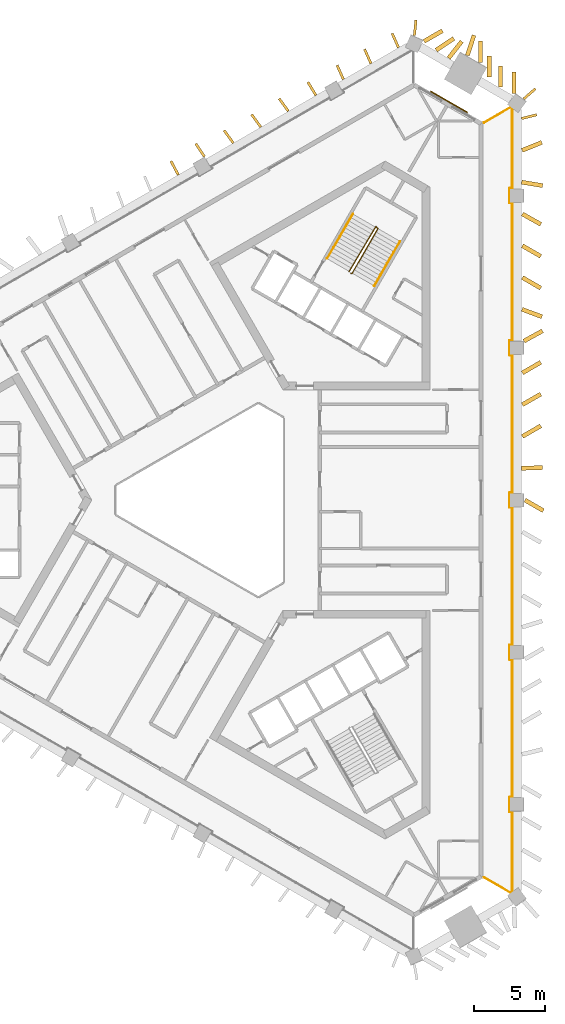
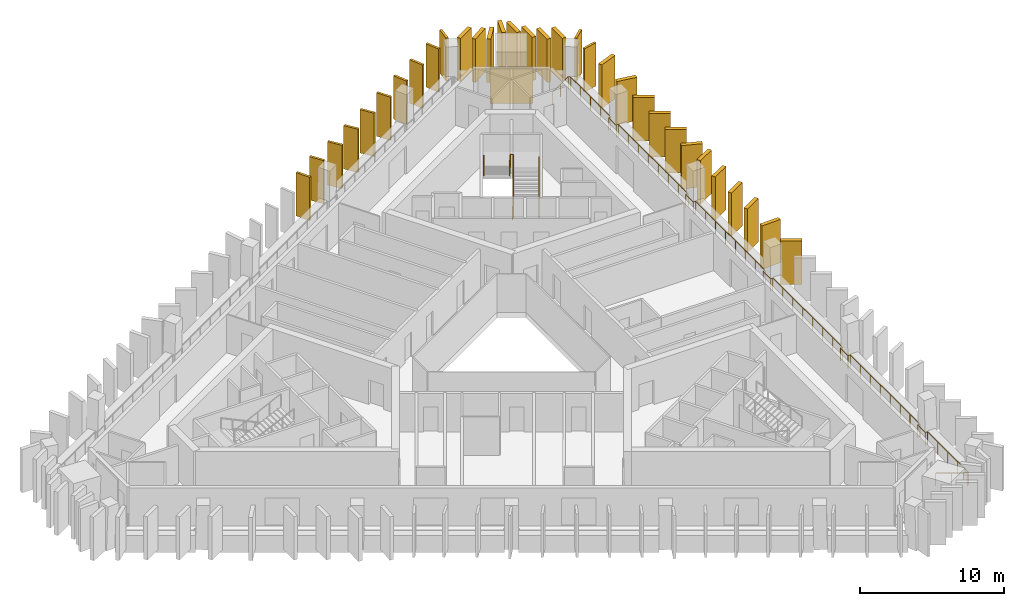
# One storey, part 10 of 10: 32 shading devices, 4 railings, 1 covering.
"""IFC4 building model written with IfcOpenShell, lengths in metres."""

import ifcopenshell
import ifcopenshell.guid

model = None  # the IFC model being written
_history = None  # IfcOwnerHistory: only IFC2X3 demands one
_inside = {}  # id of a spatial element -> (the spatial element, [elements in it])
_under = {}  # id of a project, library or spatial element -> (it, [spatial elements below it])
_declared = {}  # id of a project -> (the project, [libraries it declares])
_typed = {}  # id of a type object -> (the type object, [elements of that type])
_made_of = {}  # id of a material, layer set ... -> (it, [elements and type objects made of it])


def new_model(schema):
    """Start an empty IFC model of exactly this schema.

    Asked for "IFC4X3", IfcOpenShell would pick the latest addendum, in which some entities
    have other attributes; the version numbers below select the first issue.
    IFC2X3 requires an IfcOwnerHistory on every rooted entity: one is made here for all.
    """
    global model, _history
    if schema == "IFC4X3":
        model = ifcopenshell.file(schema_version=(4, 3, 0, 0))
    else:
        model = ifcopenshell.file(schema=schema)
    _inside.clear()
    _under.clear()
    _declared.clear()
    _typed.clear()
    _made_of.clear()
    _history = None
    if model.schema == "IFC2X3":
        org = make("IfcOrganization", Name="unknown")
        user = make(
            "IfcPersonAndOrganization",
            ThePerson=make("IfcPerson", FamilyName="unknown"),
            TheOrganization=org,
        )
        app = make(
            "IfcApplication",
            ApplicationDeveloper=org,
            Version="unknown",
            ApplicationFullName="unknown",
            ApplicationIdentifier="unknown",
        )
        _history = make(
            "IfcOwnerHistory",
            OwningUser=user,
            OwningApplication=app,
            ChangeAction="ADDED",
            CreationDate=0,
        )
    return model


def make(cls, **values):
    """One entity of the class cls with the attributes given. An attribute that is None is left unset."""
    return model.create_entity(
        cls, **{name: value for name, value in values.items() if value is not None}
    )


def rooted(cls, **values):
    """An entity with a GlobalId (a new one), such as an element, a storey or a relation."""
    return make(cls, GlobalId=ifcopenshell.guid.new(), OwnerHistory=_history, **values)


def si_unit(unit_type, name, prefix=None):
    """IfcSIUnit, for example si_unit("LENGTHUNIT", "METRE", prefix="MILLI")."""
    return make("IfcSIUnit", UnitType=unit_type, Prefix=prefix, Name=name)


def assignment(units):
    """IfcUnitAssignment: the units of a project."""
    return None if units is None else make("IfcUnitAssignment", Units=units)


def point(xyz):
    """IfcCartesianPoint."""
    return None if xyz is None else make("IfcCartesianPoint", Coordinates=xyz)


def direction(xyz):
    """IfcDirection."""
    return None if xyz is None else make("IfcDirection", DirectionRatios=xyz)


def frame(location, z_axis=None, x_axis=None):
    """IfcAxis2Placement3D, a coordinate frame: its origin and axes. An axis left out is left unset."""
    return make(
        "IfcAxis2Placement3D",
        Location=point(location),
        Axis=direction(z_axis),
        RefDirection=direction(x_axis),
    )


def frame_2d(location, x_axis=None):
    """IfcAxis2Placement2D, a coordinate frame in the plane: its origin and x axis."""
    return make(
        "IfcAxis2Placement2D", Location=point(location), RefDirection=direction(x_axis)
    )


def origin():
    """The frame at (0, 0, 0) with its axes left unset."""
    return frame((0.0, 0.0, 0.0))


def origin_2d():
    """The frame at (0, 0) in the plane with its x axis left unset."""
    return frame_2d((0.0, 0.0))


def place(relative_to, where):
    """IfcLocalPlacement: puts the frame where relative to a parent placement (None: the world)."""
    return make(
        "IfcLocalPlacement", PlacementRelTo=relative_to, RelativePlacement=where
    )


def context(
    kind, dimensions, precision=None, world=None, true_north=None, identifier=None
):
    """IfcGeometricRepresentationContext, for example the 3D "Model" context."""
    return make(
        "IfcGeometricRepresentationContext",
        ContextIdentifier=identifier,
        ContextType=kind,
        CoordinateSpaceDimension=dimensions,
        Precision=precision,
        WorldCoordinateSystem=world,
        TrueNorth=true_north,
    )


def subcontext(parent, identifier, kind, view, scale=None):
    """IfcGeometricRepresentationSubContext, for example "Body" below "Model"."""
    return make(
        "IfcGeometricRepresentationSubContext",
        ContextIdentifier=identifier,
        ContextType=kind,
        ParentContext=parent,
        TargetScale=scale,
        TargetView=view,
    )


def project(units=None, contexts=None):
    """IfcProject with its units and contexts."""
    return rooted(
        "IfcProject",
        Name="project",
        RepresentationContexts=contexts,
        UnitsInContext=assignment(units),
    )


def spatial(cls, under=None, at=None, **own):
    """A site, building, storey or space (cls), placed at a placement, below another one or the project."""
    s = rooted(cls, ObjectPlacement=at, **own)
    if under is not None:
        _under.setdefault(under.id(), (under, []))[1].append(s)
    return s


def profile(cls, at=None, kind="AREA", **sizes):
    """A parametric profile (cls). Its sizes go by their IFC names, for example OverallWidth=200.0."""
    return make(cls, ProfileType=kind, Position=at, **sizes)


def rectangle(**sizes):
    """IfcRectangleProfileDef."""
    return profile("IfcRectangleProfileDef", **sizes)


def circle(**sizes):
    """IfcCircleProfileDef."""
    return profile("IfcCircleProfileDef", **sizes)


def extrude(swept, where, along, depth):
    """IfcExtrudedAreaSolid: the profile swept, set in the frame where, extruded along a direction by depth."""
    return make(
        "IfcExtrudedAreaSolid",
        SweptArea=swept,
        Position=where,
        ExtrudedDirection=direction(along),
        Depth=depth,
    )


def shape(context_of_items, identifier, shape_type, items):
    """IfcShapeRepresentation: the items that make up one representation, for example the "Body"."""
    return make(
        "IfcShapeRepresentation",
        ContextOfItems=context_of_items,
        RepresentationIdentifier=identifier,
        RepresentationType=shape_type,
        Items=items,
    )


def material(Name=None, Category=None):
    """IfcMaterial."""
    return make("IfcMaterial", Name=Name, Category=Category)


def layer(
    of_material, thickness, ventilated=None, Name=None, Category=None, Priority=None
):
    """IfcMaterialLayer: one layer of a wall or slab, of a material (None: an air gap)."""
    return make(
        "IfcMaterialLayer",
        Material=of_material,
        LayerThickness=thickness,
        IsVentilated=ventilated,
        Name=Name,
        Category=Category,
        Priority=Priority,
    )


def layer_set(layers, Name=None):
    """IfcMaterialLayerSet."""
    return make("IfcMaterialLayerSet", MaterialLayers=layers, LayerSetName=Name)


def made_of(thing, what):
    """Note that an element or type object is made of a material, layer set ...; save() writes the relation."""
    if what is not None:
        _made_of.setdefault(what.id(), (what, []))[1].append(thing)
    return thing


def type_object(cls, material=None, **own):
    """A type object (cls), such as IfcWallType, which elements share."""
    return made_of(rooted(cls, **own), material)


def element(
    cls,
    number,
    at=None,
    inside=None,
    cuts=None,
    type_object=None,
    material=None,
    context=None,
    identifier="Body",
    shape_type=None,
    held_by="IfcProductDefinitionShape",
    body=None,
    shapes=None,
    **own,
):
    """One element of the class cls, such as IfcWall. Its Tag is "e" and its number.

    at: its placement. inside: the storey or other place that contains it. cuts: it is an
    opening in that element (IfcRelVoidsElement). A single representation is given by context,
    identifier, shape_type and body (its items); several are given by shapes. held_by: the class
    of the entity that holds the representations. save() writes the other relations.
    """
    e = rooted(cls, Tag="e%d" % number, ObjectPlacement=at, **own)
    if body is not None:
        shapes = [shape(context, identifier, shape_type, body)]
    if shapes is not None:
        e.Representation = make(held_by, Representations=shapes)
    if inside is not None:
        _inside.setdefault(inside.id(), (inside, []))[1].append(e)
    if cuts is not None:
        rooted(
            "IfcRelVoidsElement", RelatingBuildingElement=cuts, RelatedOpeningElement=e
        )
    if type_object is not None:
        _typed.setdefault(type_object.id(), (type_object, []))[1].append(e)
    return made_of(e, material)


def aggregate(whole, parts):
    """IfcRelAggregates: a whole, such as a stair, and the parts it consists of."""
    return rooted("IfcRelAggregates", RelatingObject=whole, RelatedObjects=parts)


def save(model, path):
    """Write the relations noted so far, then the file.

    IfcRelAggregates (storeys below a building ...), IfcRelContainedInSpatialStructure (elements
    in a storey), IfcRelDefinesByType, IfcRelAssociatesMaterial and IfcRelDeclares: one each for
    every whole, place, type object, material and project.
    """
    for whole, parts in _under.values():
        aggregate(whole, parts)
    for where, things in _inside.values():
        rooted(
            "IfcRelContainedInSpatialStructure",
            RelatedElements=things,
            RelatingStructure=where,
        )
    for kind, things in _typed.values():
        rooted("IfcRelDefinesByType", RelatedObjects=things, RelatingType=kind)
    for what, things in _made_of.values():
        rooted("IfcRelAssociatesMaterial", RelatedObjects=things, RelatingMaterial=what)
    for by, libraries in _declared.values():
        rooted("IfcRelDeclares", RelatingContext=by, RelatedDefinitions=libraries)
    model.write(path)


model = new_model("IFC4")

# Units and contexts
model_context = context("Model", 3, precision=1e-05, world=origin(), true_north=direction((0.0, 1.0)))
body_context = subcontext(model_context, "Body", "Model", "MODEL_VIEW")
ifc_project = project(units=[si_unit("LENGTHUNIT", "METRE"), si_unit("AREAUNIT", "SQUARE_METRE"), si_unit("VOLUMEUNIT", "CUBIC_METRE"), si_unit("PLANEANGLEUNIT", "RADIAN"), si_unit("MASSUNIT", "GRAM", prefix="KILO")], contexts=[model_context])

# Site, building, storey
site_placement = place(None, origin())
site = spatial("IfcSite", under=ifc_project, at=site_placement, CompositionType="ELEMENT")
building_placement = place(site_placement, origin())
building = spatial("IfcBuilding", under=site, at=building_placement, Name="Jabali Bay Hotel Tower and Convention Centre", CompositionType="ELEMENT")
storey_placement = place(building_placement, frame((0.0, 0.0, 178.5)))
storey = spatial("IfcBuildingStorey", under=building, at=storey_placement, Name="L43", CompositionType="ELEMENT", Elevation=178.5)

# Railing
ifc_material_1 = material(Name="Glass", Category="glass")
railing_type_1 = type_object("IfcRailingType", Name="Loggia glass guard 1100", PredefinedType="BALUSTRADE", material=ifc_material_1)
railing_1_placement = place(storey_placement, frame((93.701904296875, 106.66064453125, 0.0)))
element("IfcRailing", 1, at=railing_1_placement, inside=storey, type_object=railing_type_1, Name="Loggia glass guard L43", PredefinedType="BALUSTRADE", context=body_context, shape_type="SweptSolid", body=[
    extrude(circle(Radius=0.02490234375, at=origin_2d()), frame((0.0, 0.0, 1.0751953125), z_axis=(0.866035418383, 0.499982653806, 0.0), x_axis=(-0.495705232892, 0.858626365323, 0.13052619222)), (0.0, 0.0, 1.0), 2.19287109375),
    extrude(circle(Radius=0.02490234375, at=origin_2d()), frame((1.899169921875, 1.096435546875, 1.0751953125), z_axis=(0.799767562016, -0.600309792313, 0.0), x_axis=(0.595174058821, 0.792925439655, 0.13052619222)), (0.0, 0.0, 1.0), 0.1259765625),
    extrude(circle(Radius=0.02490234375, at=origin_2d()), frame((2.0, 1.020751953125, 1.0751953125), z_axis=(0.0, -1.0, 0.0), x_axis=(0.991444861374, 0.0, 0.13052619222)), (0.0, 0.0, 1.0), 5.643798828125),
    extrude(circle(Radius=0.02490234375, at=origin_2d()), frame((2.0, -4.623046875, 1.0751953125), z_axis=(-1.0, 0.0, 0.0), x_axis=(0.0, -0.991444861374, 0.13052619222)), (0.0, 0.0, 1.0), 0.175048828125),
    extrude(circle(Radius=0.02490234375, at=origin_2d()), frame((1.824951171875, -4.623046875, 1.0751953125), z_axis=(0.0, -1.0, 0.0), x_axis=(0.991444861374, 0.0, 0.13052619222)), (0.0, 0.0, 1.0), 1.0498046875),
    extrude(circle(Radius=0.02490234375, at=origin_2d()), frame((1.824951171875, -5.6728515625, 1.0751953125), z_axis=(1.0, 0.0, 0.0), x_axis=(0.0, 0.991444861374, 0.13052619222)), (0.0, 0.0, 1.0), 0.175048828125),
    extrude(circle(Radius=0.02490234375, at=origin_2d()), frame((2.0, -5.6728515625, 1.0751953125), z_axis=(0.0, -1.0, 0.0), x_axis=(0.991444861374, 0.0, 0.13052619222)), (0.0, 0.0, 1.0), 9.70654296875),
    extrude(circle(Radius=0.02490234375, at=origin_2d()), frame((2.0, -15.37939453125, 1.0751953125), z_axis=(-1.0, 0.0, 0.0), x_axis=(0.0, -0.991444861374, 0.13052619222)), (0.0, 0.0, 1.0), 0.175048828125),
    extrude(circle(Radius=0.02490234375, at=origin_2d()), frame((1.824951171875, -15.37939453125, 1.0751953125), z_axis=(0.0, -1.0, 0.0), x_axis=(0.991444861374, 0.0, 0.13052619222)), (0.0, 0.0, 1.0), 1.0498046875),
    extrude(circle(Radius=0.02490234375, at=origin_2d()), frame((1.824951171875, -16.42919921875, 1.0751953125), z_axis=(1.0, 0.0, 0.0), x_axis=(0.0, 0.991444861374, 0.13052619222)), (0.0, 0.0, 1.0), 0.175048828125),
    extrude(circle(Radius=0.02490234375, at=origin_2d()), frame((2.0, -16.42919921875, 1.0751953125), z_axis=(0.0, -1.0, 0.0), x_axis=(0.991444861374, 0.0, 0.13052619222)), (0.0, 0.0, 1.0), 9.70654296875),
    extrude(circle(Radius=0.02490234375, at=origin_2d()), frame((2.0, -26.1357421875, 1.0751953125), z_axis=(-1.0, 0.0, 0.0), x_axis=(0.0, -0.991444861374, 0.13052619222)), (0.0, 0.0, 1.0), 0.175048828125),
    extrude(circle(Radius=0.02490234375, at=origin_2d()), frame((1.824951171875, -26.1357421875, 1.0751953125), z_axis=(0.0, -1.0, 0.0), x_axis=(0.991444861374, 0.0, 0.13052619222)), (0.0, 0.0, 1.0), 1.0498046875),
    extrude(circle(Radius=0.02490234375, at=origin_2d()), frame((1.824951171875, -27.185546875, 1.0751953125), z_axis=(1.0, 0.0, 0.0), x_axis=(0.0, 0.991444861374, 0.13052619222)), (0.0, 0.0, 1.0), 0.175048828125),
    extrude(circle(Radius=0.02490234375, at=origin_2d()), frame((2.0, -27.185546875, 1.0751953125), z_axis=(0.0, -1.0, 0.0), x_axis=(0.991444861374, 0.0, 0.13052619222)), (0.0, 0.0, 1.0), 9.70654296875),
    extrude(circle(Radius=0.02490234375, at=origin_2d()), frame((2.0, -36.89208984375, 1.0751953125), z_axis=(-1.0, 0.0, 0.0), x_axis=(0.0, -0.991444861374, 0.13052619222)), (0.0, 0.0, 1.0), 0.175048828125),
    extrude(circle(Radius=0.02490234375, at=origin_2d()), frame((1.824951171875, -36.89208984375, 1.0751953125), z_axis=(0.0, -1.0, 0.0), x_axis=(0.991444861374, 0.0, 0.13052619222)), (0.0, 0.0, 1.0), 1.0498046875),
    extrude(circle(Radius=0.02490234375, at=origin_2d()), frame((1.824951171875, -37.94189453125, 1.0751953125), z_axis=(1.0, 0.0, 0.0), x_axis=(0.0, 0.991444861374, 0.13052619222)), (0.0, 0.0, 1.0), 0.175048828125),
    extrude(circle(Radius=0.02490234375, at=origin_2d()), frame((2.0, -37.94189453125, 1.0751953125), z_axis=(0.0, -1.0, 0.0), x_axis=(0.991444861374, 0.0, 0.13052619222)), (0.0, 0.0, 1.0), 9.70654296875),
    extrude(circle(Radius=0.02490234375, at=origin_2d()), frame((2.0, -47.6484375, 1.0751953125), z_axis=(-1.0, 0.0, 0.0), x_axis=(0.0, -0.991444861374, 0.13052619222)), (0.0, 0.0, 1.0), 0.175048828125),
    extrude(circle(Radius=0.02490234375, at=origin_2d()), frame((1.824951171875, -47.6484375, 1.0751953125), z_axis=(0.0, -1.0, 0.0), x_axis=(0.991444861374, 0.0, 0.13052619222)), (0.0, 0.0, 1.0), 1.0498046875),
    extrude(circle(Radius=0.02490234375, at=origin_2d()), frame((1.824951171875, -48.6982421875, 1.0751953125), z_axis=(1.0, 0.0, 0.0), x_axis=(0.0, 0.991444861374, 0.13052619222)), (0.0, 0.0, 1.0), 0.175048828125),
    extrude(circle(Radius=0.02490234375, at=origin_2d()), frame((2.0, -48.6982421875, 1.0751953125), z_axis=(0.0, -1.0, 0.0), x_axis=(0.991444861374, 0.0, 0.13052619222)), (0.0, 0.0, 1.0), 5.643798828125),
    extrude(circle(Radius=0.02490234375, at=origin_2d()), frame((2.0, -54.342041015625, 1.0751953125), z_axis=(-0.799767562016, -0.600309792313, 0.0), x_axis=(0.595174058821, -0.792925439655, 0.13052619222)), (0.0, 0.0, 1.0), 0.1259765625),
    extrude(circle(Radius=0.02490234375, at=origin_2d()), frame((1.899169921875, -54.417724609375, 1.0751953125), z_axis=(-0.866035418383, 0.499982653806, 0.0), x_axis=(-0.495705232892, -0.858626365323, 0.13052619222)), (0.0, 0.0, 1.0), 2.19287109375),
    extrude(circle(Radius=0.02001953125, at=origin_2d()), origin(), (0.0, 0.0, 1.0), 1.050048828125),
    extrude(circle(Radius=0.02001953125, at=origin_2d()), frame((0.94970703125, 0.54833984375, 0.0)), (0.0, 0.0, 1.0), 1.050048828125),
    extrude(circle(Radius=0.02001953125, at=origin_2d()), frame((1.899169921875, 1.096435546875, 0.0)), (0.0, 0.0, 1.0), 1.050048828125),
    extrude(circle(Radius=0.02001953125, at=origin_2d()), frame((2.0, 1.020751953125, 0.0)), (0.0, 0.0, 1.0), 1.050048828125),
    extrude(circle(Radius=0.02001953125, at=origin_2d()), frame((2.0, -0.39013671875, 0.0)), (0.0, 0.0, 1.0), 1.050048828125),
    extrude(circle(Radius=0.02001953125, at=origin_2d()), frame((2.0, -1.80126953125, 0.0)), (0.0, 0.0, 1.0), 1.050048828125),
    extrude(circle(Radius=0.02001953125, at=origin_2d()), frame((2.0, -3.212158203125, 0.0)), (0.0, 0.0, 1.0), 1.050048828125),
    extrude(circle(Radius=0.02001953125, at=origin_2d()), frame((2.0, -4.623046875, 0.0)), (0.0, 0.0, 1.0), 1.050048828125),
    extrude(circle(Radius=0.02001953125, at=origin_2d()), frame((1.824951171875, -4.623046875, 0.0)), (0.0, 0.0, 1.0), 1.050048828125),
    extrude(circle(Radius=0.02001953125, at=origin_2d()), frame((1.824951171875, -5.6728515625, 0.0)), (0.0, 0.0, 1.0), 1.050048828125),
    extrude(circle(Radius=0.02001953125, at=origin_2d()), frame((2.0, -5.6728515625, 0.0)), (0.0, 0.0, 1.0), 1.050048828125),
    extrude(circle(Radius=0.02001953125, at=origin_2d()), frame((2.0, -7.0595703125, 0.0)), (0.0, 0.0, 1.0), 1.050048828125),
    extrude(circle(Radius=0.02001953125, at=origin_2d()), frame((2.0, -8.446044921875, 0.0)), (0.0, 0.0, 1.0), 1.050048828125),
    extrude(circle(Radius=0.02001953125, at=origin_2d()), frame((2.0, -9.832763671875, 0.0)), (0.0, 0.0, 1.0), 1.050048828125),
    extrude(circle(Radius=0.02001953125, at=origin_2d()), frame((2.0, -11.219482421875, 0.0)), (0.0, 0.0, 1.0), 1.050048828125),
    extrude(circle(Radius=0.02001953125, at=origin_2d()), frame((2.0, -12.606201171875, 0.0)), (0.0, 0.0, 1.0), 1.050048828125),
    extrude(circle(Radius=0.02001953125, at=origin_2d()), frame((2.0, -13.99267578125, 0.0)), (0.0, 0.0, 1.0), 1.050048828125),
    extrude(circle(Radius=0.02001953125, at=origin_2d()), frame((2.0, -15.37939453125, 0.0)), (0.0, 0.0, 1.0), 1.050048828125),
    extrude(circle(Radius=0.02001953125, at=origin_2d()), frame((1.824951171875, -15.37939453125, 0.0)), (0.0, 0.0, 1.0), 1.050048828125),
    extrude(circle(Radius=0.02001953125, at=origin_2d()), frame((1.824951171875, -16.42919921875, 0.0)), (0.0, 0.0, 1.0), 1.050048828125),
    extrude(circle(Radius=0.02001953125, at=origin_2d()), frame((2.0, -16.42919921875, 0.0)), (0.0, 0.0, 1.0), 1.050048828125),
    extrude(circle(Radius=0.02001953125, at=origin_2d()), frame((2.0, -17.81591796875, 0.0)), (0.0, 0.0, 1.0), 1.050048828125),
    extrude(circle(Radius=0.02001953125, at=origin_2d()), frame((2.0, -19.202392578125, 0.0)), (0.0, 0.0, 1.0), 1.050048828125),
    extrude(circle(Radius=0.02001953125, at=origin_2d()), frame((2.0, -20.589111328125, 0.0)), (0.0, 0.0, 1.0), 1.050048828125),
    extrude(circle(Radius=0.02001953125, at=origin_2d()), frame((2.0, -21.975830078125, 0.0)), (0.0, 0.0, 1.0), 1.050048828125),
    extrude(circle(Radius=0.02001953125, at=origin_2d()), frame((2.0, -23.362548828125, 0.0)), (0.0, 0.0, 1.0), 1.050048828125),
    extrude(circle(Radius=0.02001953125, at=origin_2d()), frame((2.0, -24.7490234375, 0.0)), (0.0, 0.0, 1.0), 1.050048828125),
    extrude(circle(Radius=0.02001953125, at=origin_2d()), frame((2.0, -26.1357421875, 0.0)), (0.0, 0.0, 1.0), 1.050048828125),
    extrude(circle(Radius=0.02001953125, at=origin_2d()), frame((1.824951171875, -26.1357421875, 0.0)), (0.0, 0.0, 1.0), 1.050048828125),
    extrude(circle(Radius=0.02001953125, at=origin_2d()), frame((1.824951171875, -27.185546875, 0.0)), (0.0, 0.0, 1.0), 1.050048828125),
    extrude(circle(Radius=0.02001953125, at=origin_2d()), frame((2.0, -27.185546875, 0.0)), (0.0, 0.0, 1.0), 1.050048828125),
    extrude(circle(Radius=0.02001953125, at=origin_2d()), frame((2.0, -28.572265625, 0.0)), (0.0, 0.0, 1.0), 1.050048828125),
    extrude(circle(Radius=0.02001953125, at=origin_2d()), frame((2.0, -29.958740234375, 0.0)), (0.0, 0.0, 1.0), 1.050048828125),
    extrude(circle(Radius=0.02001953125, at=origin_2d()), frame((2.0, -31.345458984375, 0.0)), (0.0, 0.0, 1.0), 1.050048828125),
    extrude(circle(Radius=0.02001953125, at=origin_2d()), frame((2.0, -32.732177734375, 0.0)), (0.0, 0.0, 1.0), 1.050048828125),
    extrude(circle(Radius=0.02001953125, at=origin_2d()), frame((2.0, -34.118896484375, 0.0)), (0.0, 0.0, 1.0), 1.050048828125),
    extrude(circle(Radius=0.02001953125, at=origin_2d()), frame((2.0, -35.50537109375, 0.0)), (0.0, 0.0, 1.0), 1.050048828125),
    extrude(circle(Radius=0.02001953125, at=origin_2d()), frame((2.0, -36.89208984375, 0.0)), (0.0, 0.0, 1.0), 1.050048828125),
    extrude(circle(Radius=0.02001953125, at=origin_2d()), frame((1.824951171875, -36.89208984375, 0.0)), (0.0, 0.0, 1.0), 1.050048828125),
    extrude(circle(Radius=0.02001953125, at=origin_2d()), frame((1.824951171875, -37.94189453125, 0.0)), (0.0, 0.0, 1.0), 1.050048828125),
    extrude(circle(Radius=0.02001953125, at=origin_2d()), frame((2.0, -37.94189453125, 0.0)), (0.0, 0.0, 1.0), 1.050048828125),
    extrude(circle(Radius=0.02001953125, at=origin_2d()), frame((2.0, -39.32861328125, 0.0)), (0.0, 0.0, 1.0), 1.050048828125),
    extrude(circle(Radius=0.02001953125, at=origin_2d()), frame((2.0, -40.715087890625, 0.0)), (0.0, 0.0, 1.0), 1.050048828125),
    extrude(circle(Radius=0.02001953125, at=origin_2d()), frame((2.0, -42.101806640625, 0.0)), (0.0, 0.0, 1.0), 1.050048828125),
    extrude(circle(Radius=0.02001953125, at=origin_2d()), frame((2.0, -43.488525390625, 0.0)), (0.0, 0.0, 1.0), 1.050048828125),
    extrude(circle(Radius=0.02001953125, at=origin_2d()), frame((2.0, -44.875244140625, 0.0)), (0.0, 0.0, 1.0), 1.050048828125),
    extrude(circle(Radius=0.02001953125, at=origin_2d()), frame((2.0, -46.26171875, 0.0)), (0.0, 0.0, 1.0), 1.050048828125),
    extrude(circle(Radius=0.02001953125, at=origin_2d()), frame((2.0, -47.6484375, 0.0)), (0.0, 0.0, 1.0), 1.050048828125),
    extrude(circle(Radius=0.02001953125, at=origin_2d()), frame((1.824951171875, -47.6484375, 0.0)), (0.0, 0.0, 1.0), 1.050048828125),
    extrude(circle(Radius=0.02001953125, at=origin_2d()), frame((1.824951171875, -48.6982421875, 0.0)), (0.0, 0.0, 1.0), 1.050048828125),
    extrude(circle(Radius=0.02001953125, at=origin_2d()), frame((2.0, -48.6982421875, 0.0)), (0.0, 0.0, 1.0), 1.050048828125),
    extrude(circle(Radius=0.02001953125, at=origin_2d()), frame((2.0, -50.109130859375, 0.0)), (0.0, 0.0, 1.0), 1.050048828125),
    extrude(circle(Radius=0.02001953125, at=origin_2d()), frame((2.0, -51.52001953125, 0.0)), (0.0, 0.0, 1.0), 1.050048828125),
    extrude(circle(Radius=0.02001953125, at=origin_2d()), frame((2.0, -52.93115234375, 0.0)), (0.0, 0.0, 1.0), 1.050048828125),
    extrude(circle(Radius=0.02001953125, at=origin_2d()), frame((2.0, -54.342041015625, 0.0)), (0.0, 0.0, 1.0), 1.050048828125),
    extrude(circle(Radius=0.02001953125, at=origin_2d()), frame((1.899169921875, -54.417724609375, 0.0)), (0.0, 0.0, 1.0), 1.050048828125),
    extrude(circle(Radius=0.02001953125, at=origin_2d()), frame((0.94970703125, -53.86962890625, 0.0)), (0.0, 0.0, 1.0), 1.050048828125),
    extrude(circle(Radius=0.02001953125, at=origin_2d()), frame((0.0, -53.3212890625, 0.0)), (0.0, 0.0, 1.0), 1.050048828125),
])

# Shading devices
ifc_material_2 = material(Name="Precast concrete C60", Category="concrete")
ifc_layer_1 = layer(ifc_material_2, 0.179931640625)
ifc_layer_set_1 = layer_set([ifc_layer_1], Name="Precast concrete C60")
shading_device_type_1 = type_object("IfcShadingDeviceType", Name="Precast fin 3680 x 1100", PredefinedType="USERDEFINED", material=ifc_layer_set_1)
for number, where, z_axis, x_axis, name in (
    (2, (96.3662109375, 106.9521484375, 0.010009765625), (0.0, 0.0, 1.0), (0.969749628473, 0.244101737144, 0.0), "Fin L43 024"),
    (3, (87.664306640625, 111.968994140625, 0.010009765625), (0.0, 0.0, 1.0), (-0.405273381202, 0.91419554062, 0.0), "Fin L43 033"),
    (4, (85.71923828125, 110.845947265625, 0.010009765625), (0.0, 0.0, 1.0), (-0.405911946598, 0.913912190317, 0.0), "Fin L43 034"),
    (5, (83.774169921875, 109.722900390625, 0.010009765625), (0.0, 0.0, 1.0), (-0.406097286264, 0.913829849638, 0.0), "Fin L43 035"),
):
    element("IfcShadingDevice", number, at=place(storey_placement, frame(where, z_axis=z_axis, x_axis=x_axis)), inside=storey, type_object=shading_device_type_1, Name=name, ObjectType="FIN", PredefinedType="USERDEFINED", context=body_context, shape_type="SweptSolid", body=[
        extrude(rectangle(XDim=1.10009765625, YDim=0.179931640625, at=frame_2d((0.550048828125, 0.0))), origin(), (0.0, 0.0, 1.0), 3.679931640625),
    ])
for number, where, z_axis, x_axis, name in (
    (6, (81.832763671875, 108.59326171875, 0.010009765625), (0.0, 0.0, 1.0), (-0.516061687287, 0.856551419889, 0.0), "Fin L43 036"),
    (7, (79.8837890625, 107.47705078125, 0.010009765625), (0.0, 0.0, 1.0), (-0.58839602701, 0.808572888117, 0.0), "Fin L43 037"),
):
    element("IfcShadingDevice", number, at=place(storey_placement, frame(where, z_axis=z_axis, x_axis=x_axis)), inside=storey, type_object=shading_device_type_1, Name=name, ObjectType="FIN", PredefinedType="USERDEFINED", context=body_context, shape_type="SweptSolid", body=[
        extrude(rectangle(XDim=1.099853515625, YDim=0.179931640625, at=frame_2d((0.5498046875, 0.0))), origin(), (0.0, 0.0, 1.0), 3.679931640625),
    ])
for number, where, z_axis, x_axis, name in (
    (8, (77.938720703125, 106.35400390625, 0.010009765625), (0.0, 0.0, 1.0), (-0.588541108925, 0.808467292539, 0.0), "Fin L43 038"),
    (9, (75.99365234375, 105.23095703125, 0.010009765625), (0.0, 0.0, 1.0), (-0.589042341197, 0.808102171929, 0.0), "Fin L43 039"),
):
    element("IfcShadingDevice", number, at=place(storey_placement, frame(where, z_axis=z_axis, x_axis=x_axis)), inside=storey, type_object=shading_device_type_1, Name=name, ObjectType="FIN", PredefinedType="USERDEFINED", context=body_context, shape_type="SweptSolid", body=[
        extrude(rectangle(XDim=1.10009765625, YDim=0.179931640625, at=frame_2d((0.550048828125, 0.0))), origin(), (0.0, 0.0, 1.0), 3.679931640625),
    ])
shading_device_1_placement = place(storey_placement, frame((73.958984375, 104.26318359375, 0.010009765625), z_axis=(0.0, 0.0, 1.0), x_axis=(-0.558229478677, 0.829686596936, 0.0)))
element("IfcShadingDevice", 10, at=shading_device_1_placement, inside=storey, type_object=shading_device_type_1, Name="Fin L43 040", ObjectType="FIN", PredefinedType="USERDEFINED", context=body_context, shape_type="SweptSolid", body=[
    extrude(rectangle(XDim=1.099853515625, YDim=0.179931640625, at=frame_2d((0.5498046875, 0.0))), origin(), (0.0, 0.0, 1.0), 3.679931640625),
])
for number, where, z_axis, x_axis, name in (
    (11, (72.106689453125, 102.9794921875, 0.010009765625), (0.0, 0.0, 1.0), (-0.468305766076, 0.883566471444, 0.0), "Fin L43 041"),
    (12, (96.5166015625, 108.343505859375, 0.010009765625), (0.0, 0.0, 1.0), (0.75414187027, 0.65671153447, 0.0), "Fin L43 100"),
):
    element("IfcShadingDevice", number, at=place(storey_placement, frame(where, z_axis=z_axis, x_axis=x_axis)), inside=storey, type_object=shading_device_type_1, Name=name, ObjectType="FIN", PredefinedType="USERDEFINED", context=body_context, shape_type="SweptSolid", body=[
        extrude(rectangle(XDim=1.10009765625, YDim=0.179931640625, at=frame_2d((0.550048828125, 0.0))), origin(), (0.0, 0.0, 1.0), 3.679931640625),
    ])
shading_device_2_placement = place(storey_placement, frame((88.787841796875, 112.81396484375, 0.010009765625), z_axis=(0.0, 0.0, 1.0), x_axis=(0.106776103251, 0.994283090359, 0.0)))
element("IfcShadingDevice", 13, at=shading_device_2_placement, inside=storey, type_object=shading_device_type_1, Name="Fin L43 101", ObjectType="FIN", PredefinedType="USERDEFINED", context=body_context, shape_type="SweptSolid", body=[
    extrude(rectangle(XDim=1.099853515625, YDim=0.179931640625, at=frame_2d((0.5498046875, 0.0))), origin(), (0.0, 0.0, 1.0), 3.679931640625),
])
ifc_layer_2 = layer(ifc_material_2, 0.300048828125)
ifc_layer_set_2 = layer_set([ifc_layer_2], Name="Precast concrete C60")
shading_device_type_2 = type_object("IfcShadingDeviceType", Name="Precast fin 3680 x 1500", PredefinedType="USERDEFINED", material=ifc_layer_set_2)
for number, where, z_axis, x_axis, name in (
    (14, (96.601806640625, 80.0, 0.010009765625), (0.0, 0.0, 1.0), (0.866031096941, -0.499990139034, 0.0), "Fin L43 012"),
    (15, (96.34912109375, 82.24609375, 0.010009765625), (0.0, 0.0, 1.0), (0.999475366414, 0.032388144914, 0.0), "Fin L43 013"),
):
    element("IfcShadingDevice", number, at=place(storey_placement, frame(where, z_axis=z_axis, x_axis=x_axis)), inside=storey, type_object=shading_device_type_2, Name=name, ObjectType="FIN", PredefinedType="USERDEFINED", context=body_context, shape_type="SweptSolid", body=[
        extrude(rectangle(XDim=1.5, YDim=0.300048828125, at=frame_2d((0.75, 0.0))), origin(), (0.0, 0.0, 1.0), 3.679931640625),
    ])
for number, where, z_axis, x_axis, name in (
    (16, (96.41943359375, 84.491943359375, 0.010009765625), (0.0, 0.0, 1.0), (0.86599040064, 0.500060622324, 0.0), "Fin L43 014"),
    (17, (96.41943359375, 86.738037109375, 0.010009765625), (0.0, 0.0, 1.0), (0.86599040064, 0.500060622324, 0.0), "Fin L43 015"),
):
    element("IfcShadingDevice", number, at=place(storey_placement, frame(where, z_axis=z_axis, x_axis=x_axis)), inside=storey, type_object=shading_device_type_2, Name=name, ObjectType="FIN", PredefinedType="USERDEFINED", context=body_context, shape_type="SweptSolid", body=[
        extrude(rectangle(XDim=1.499755859375, YDim=0.300048828125, at=frame_2d((0.75, 0.0))), origin(), (0.0, 0.0, 1.0), 3.679931640625),
    ])
for number, where, z_axis, x_axis, name in (
    (18, (96.41943359375, 88.984130859375, 0.010009765625), (0.0, 0.0, 1.0), (0.866101569082, 0.499868054624, 0.0), "Fin L43 016"),
    (19, (96.52734375, 91.22998046875, 0.010009765625), (0.0, 0.0, 1.0), (0.875772263393, 0.482724499763, 0.0), "Fin L43 017"),
    (20, (96.39697265625, 93.47607421875, 0.010009765625), (0.0, 0.0, 1.0), (0.936529689531, -0.350588277937, 0.0), "Fin L43 018"),
    (21, (96.419189453125, 95.721923828125, 0.010009765625), (0.0, 0.0, 1.0), (0.866394159516, -0.499360751718, 0.0), "Fin L43 019"),
    (22, (96.4189453125, 97.968017578125, 0.010009765625), (0.0, 0.0, 1.0), (0.8674105352, -0.497593170596, 0.0), "Fin L43 020"),
):
    element("IfcShadingDevice", number, at=place(storey_placement, frame(where, z_axis=z_axis, x_axis=x_axis)), inside=storey, type_object=shading_device_type_2, Name=name, ObjectType="FIN", PredefinedType="USERDEFINED", context=body_context, shape_type="SweptSolid", body=[
        extrude(rectangle(XDim=1.5, YDim=0.300048828125, at=frame_2d((0.75, 0.0))), origin(), (0.0, 0.0, 1.0), 3.679931640625),
    ])
shading_device_3_placement = place(storey_placement, frame((96.41796875, 100.214111328125, 0.010009765625), z_axis=(0.0, 0.0, 1.0), x_axis=(0.871658119595, -0.490114397405, 0.0)))
element("IfcShadingDevice", 23, at=shading_device_3_placement, inside=storey, type_object=shading_device_type_2, Name="Fin L43 021", ObjectType="FIN", PredefinedType="USERDEFINED", context=body_context, shape_type="SweptSolid", body=[
    extrude(rectangle(XDim=1.499755859375, YDim=0.300048828125, at=frame_2d((0.75, 0.0))), origin(), (0.0, 0.0, 1.0), 3.679931640625),
])
for number, where, z_axis, x_axis, name in (
    (24, (96.368896484375, 102.4599609375, 0.010009765625), (0.0, 0.0, 1.0), (0.986424696977, -0.164214241751, 0.0), "Fin L43 022"),
    (25, (96.400634765625, 104.7060546875, 0.010009765625), (0.0, 0.0, 1.0), (0.927033039936, 0.374979656603, 0.0), "Fin L43 023"),
    (26, (95.830322265625, 108.73974609375, 0.010009765625), (0.0, 0.0, 1.0), (0.0, 1.0, 0.0), "Fin L43 025"),
    (27, (94.870849609375, 109.1748046875, 0.010009765625), (0.0, 0.0, 1.0), (0.0, 1.0, 0.0), "Fin L43 026"),
    (28, (94.072021484375, 109.888427734375, 0.010009765625), (0.0, 0.0, 1.0), (0.0, 1.0, 0.0), "Fin L43 027"),
    (29, (93.4609375, 110.927001953125, 0.010009765625), (0.0, 0.0, 1.0), (0.0, 1.0, 0.0), "Fin L43 028"),
    (30, (92.53076171875, 111.41259765625, 0.010009765625), (0.0, 0.0, 1.0), (0.312807937204, 0.949816400375, 0.0), "Fin L43 029"),
    (31, (91.211669921875, 111.224853515625, 0.010009765625), (0.0, 0.0, 1.0), (0.616022972848, 0.787728187209, 0.0), "Fin L43 030"),
    (32, (90.32666015625, 111.7890625, 0.010009765625), (0.0, 0.0, 1.0), (0.834446251915, 0.551089332745, 0.0), "Fin L43 031"),
    (33, (89.47412109375, 112.409423828125, 0.010009765625), (0.0, 0.0, 1.0), (0.866031096941, 0.499990139034, 0.0), "Fin L43 032"),
):
    element("IfcShadingDevice", number, at=place(storey_placement, frame(where, z_axis=z_axis, x_axis=x_axis)), inside=storey, type_object=shading_device_type_2, Name=name, ObjectType="FIN", PredefinedType="USERDEFINED", context=body_context, shape_type="SweptSolid", body=[
        extrude(rectangle(XDim=1.5, YDim=0.300048828125, at=frame_2d((0.75, 0.0))), origin(), (0.0, 0.0, 1.0), 3.679931640625),
    ])

# Covering
ifc_material_3 = material(Name="Precast concrete C40/50", Category="concrete")
ifc_layer_3 = layer(ifc_material_3, 0.080078125)
ifc_layer_set_3 = layer_set([ifc_layer_3], Name="Precast concrete C40/50")
covering_type = type_object("IfcCoveringType", Name="Relief panel 3000 x 3050", PredefinedType="CLADDING", material=ifc_layer_set_3)
covering_placement = place(storey_placement, frame((91.23974609375, 108.128173828125, 0.10009765625), z_axis=(0.0, 0.0, 1.0), x_axis=(0.866025393758, -0.500000017367, 0.0)))
element("IfcCovering", 34, at=covering_placement, inside=storey, type_object=covering_type, Name="Relief panel L43", PredefinedType="CLADDING", context=body_context, shape_type="SweptSolid", body=[
    extrude(rectangle(XDim=3.0, YDim=0.080078125, at=origin_2d()), origin(), (0.0, 0.0, 1.0), 3.050048828125),
])

# Railings
ifc_material_4 = material(Name="Steel Q355B", Category="steel")
railing_type_2 = type_object("IfcRailingType", Name="Stair guard 1100", PredefinedType="GUARDRAIL", material=ifc_material_4)
railing_2_placement = place(storey_placement, frame((84.329833984375, 96.010009765625, 0.0)))
element("IfcRailing", 35, at=railing_2_placement, inside=storey, type_object=railing_type_2, Name="L43 ST2 stair guard 1", PredefinedType="GUARDRAIL", context=body_context, shape_type="SweptSolid", body=[
    extrude(circle(Radius=0.02392578125, at=origin_2d()), frame((0.0, 0.0, 1.076171875), z_axis=(0.456201556387, 0.122196845461, 0.881446578591), x_axis=(-0.258736085224, 0.965948051503, 0.0)), (0.0, 0.0, 1.0), 0.14990234375),
    extrude(circle(Radius=0.02392578125, at=origin_2d()), frame((0.068359375, 0.018310546875, 1.2080078125), z_axis=(0.45217862506, 0.783169739339, 0.426825081763), x_axis=(-0.866018046521, 0.500012742938, 0.0)), (0.0, 0.0, 1.0), 4.025146484375),
    extrude(circle(Radius=0.02392578125, at=origin_2d()), frame((1.888427734375, 3.170654296875, 2.92626953125), z_axis=(-0.718850276695, 0.695164929852, 0.0), x_axis=(-0.695164929852, -0.718850276695, 0.0)), (0.0, 0.0, 1.0), 0.2060546875),
    extrude(circle(Radius=0.02392578125, at=origin_2d()), frame((1.740234375, 3.31396484375, 2.92626953125), z_axis=(-0.457457462341, -0.768067235091, 0.448113147015), x_axis=(0.859157857954, -0.511710636118, 0.0)), (0.0, 0.0, 1.0), 4.128173828125),
    extrude(circle(Radius=0.02099609375, at=origin_2d()), origin(), (0.0, 0.0, 1.0), 1.052001953125),
    extrude(circle(Radius=0.02099609375, at=origin_2d()), frame((0.068359375, 0.018310546875, 0.132080078125)), (0.0, 0.0, 1.0), 1.052001953125),
    extrude(circle(Radius=0.02099609375, at=origin_2d()), frame((0.5234375, 0.806396484375, 0.5615234375)), (0.0, 0.0, 1.0), 1.052001953125),
    extrude(circle(Radius=0.02099609375, at=origin_2d()), frame((0.978515625, 1.594482421875, 0.9912109375)), (0.0, 0.0, 1.0), 1.052001953125),
    extrude(circle(Radius=0.02099609375, at=origin_2d()), frame((1.433349609375, 2.382568359375, 1.420654296875)), (0.0, 0.0, 1.0), 1.052001953125),
    extrude(circle(Radius=0.02099609375, at=origin_2d()), frame((1.888427734375, 3.170654296875, 1.85009765625)), (0.0, 0.0, 1.0), 1.052001953125),
    extrude(circle(Radius=0.02099609375, at=origin_2d()), frame((1.740234375, 3.31396484375, 1.85009765625)), (0.0, 0.0, 1.0), 1.052001953125),
    extrude(circle(Radius=0.02099609375, at=origin_2d()), frame((1.26806640625, 2.521240234375, 2.3125)), (0.0, 0.0, 1.0), 1.052001953125),
    extrude(circle(Radius=0.02099609375, at=origin_2d()), frame((0.7958984375, 1.728515625, 2.77490234375)), (0.0, 0.0, 1.0), 1.052001953125),
    extrude(circle(Radius=0.02099609375, at=origin_2d()), frame((0.323974609375, 0.93603515625, 3.237548828125)), (0.0, 0.0, 1.0), 1.052001953125),
    extrude(circle(Radius=0.02099609375, at=origin_2d()), frame((-0.148193359375, 0.143310546875, 3.699951171875)), (0.0, 0.0, 1.0), 1.052001953125),
])
railing_type_3 = type_object("IfcRailingType", Name="Stair handrail 900", PredefinedType="HANDRAIL", material=ifc_material_4)
railing_3_placement = place(storey_placement, frame((85.95703125, 95.128173828125, 0.132080078125)))
element("IfcRailing", 36, at=railing_3_placement, inside=storey, type_object=railing_type_3, Name="L43 ST2 stair handrail 1", PredefinedType="HANDRAIL", context=body_context, shape_type="SweptSolid", body=[
    extrude(circle(Radius=0.02392578125, at=origin_2d()), frame((0.0, 0.0, 0.8759765625), z_axis=(0.45217862506, 0.783169739339, 0.426825081763), x_axis=(-0.866018046521, 0.500012742938, 0.0)), (0.0, 0.0, 1.0), 4.025146484375),
    extrude(circle(Radius=0.02099609375, at=origin_2d()), origin(), (0.0, 0.0, 1.0), 0.851806640625),
    extrude(circle(Radius=0.02099609375, at=origin_2d()), frame((0.455078125, 0.7880859375, 0.429443359375)), (0.0, 0.0, 1.0), 0.851806640625),
    extrude(circle(Radius=0.02099609375, at=origin_2d()), frame((0.91015625, 1.576171875, 0.85888671875)), (0.0, 0.0, 1.0), 0.851806640625),
    extrude(circle(Radius=0.02099609375, at=origin_2d()), frame((1.364990234375, 2.3642578125, 1.28857421875)), (0.0, 0.0, 1.0), 0.851806640625),
    extrude(circle(Radius=0.02099609375, at=origin_2d()), frame((1.820068359375, 3.15234375, 1.718017578125)), (0.0, 0.0, 1.0), 0.851806640625),
])
railing_4_placement = place(storey_placement, frame((84.44287109375, 100.20556640625, 1.982177734375)))
element("IfcRailing", 37, at=railing_4_placement, inside=storey, type_object=railing_type_3, Name="L43 ST2 stair handrail 2", PredefinedType="HANDRAIL", context=body_context, shape_type="SweptSolid", body=[
    extrude(circle(Radius=0.02392578125, at=origin_2d()), frame((0.0, 0.0, 0.8759765625), z_axis=(-0.452190331055, -0.783190014029, 0.426775475427), x_axis=(0.866018046521, -0.500012742938, 0.0)), (0.0, 0.0, 1.0), 4.02490234375),
    extrude(circle(Radius=0.02099609375, at=origin_2d()), origin(), (0.0, 0.0, 1.0), 0.851806640625),
    extrude(circle(Radius=0.02099609375, at=origin_2d()), frame((-0.455078125, -0.7880859375, 0.429443359375)), (0.0, 0.0, 1.0), 0.851806640625),
    extrude(circle(Radius=0.02099609375, at=origin_2d()), frame((-0.91015625, -1.576171875, 0.85888671875)), (0.0, 0.0, 1.0), 0.851806640625),
    extrude(circle(Radius=0.02099609375, at=origin_2d()), frame((-1.364990234375, -2.3642578125, 1.288330078125)), (0.0, 0.0, 1.0), 0.851806640625),
    extrude(circle(Radius=0.02099609375, at=origin_2d()), frame((-1.820068359375, -3.15234375, 1.7177734375)), (0.0, 0.0, 1.0), 0.851806640625),
])

save(model, "model.ifc")
